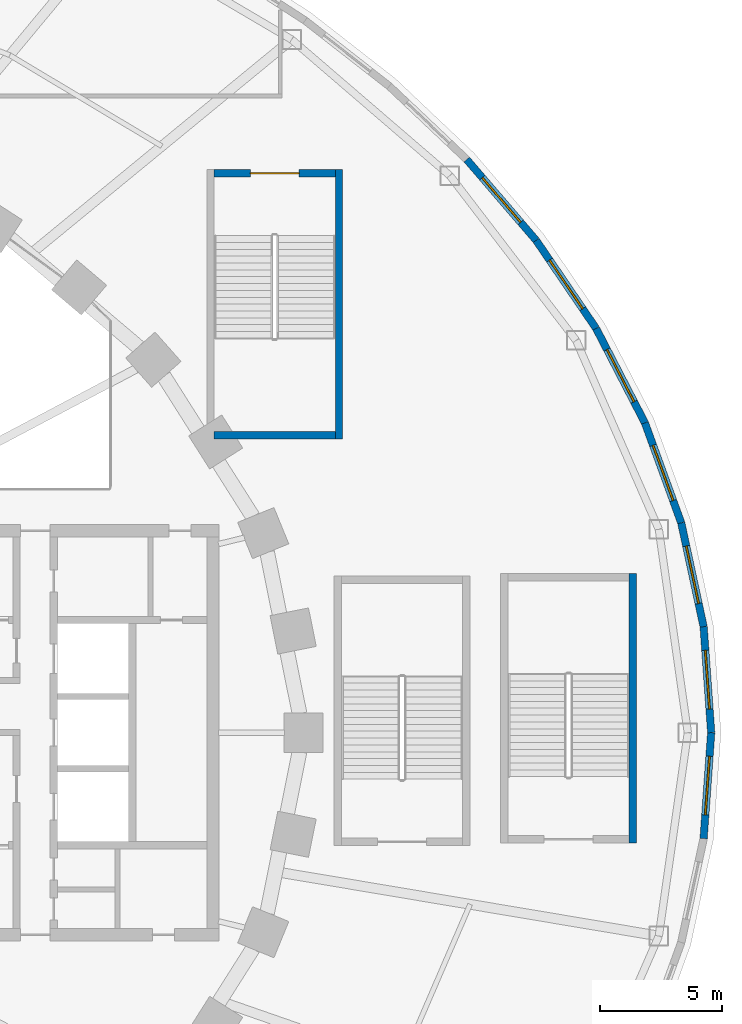
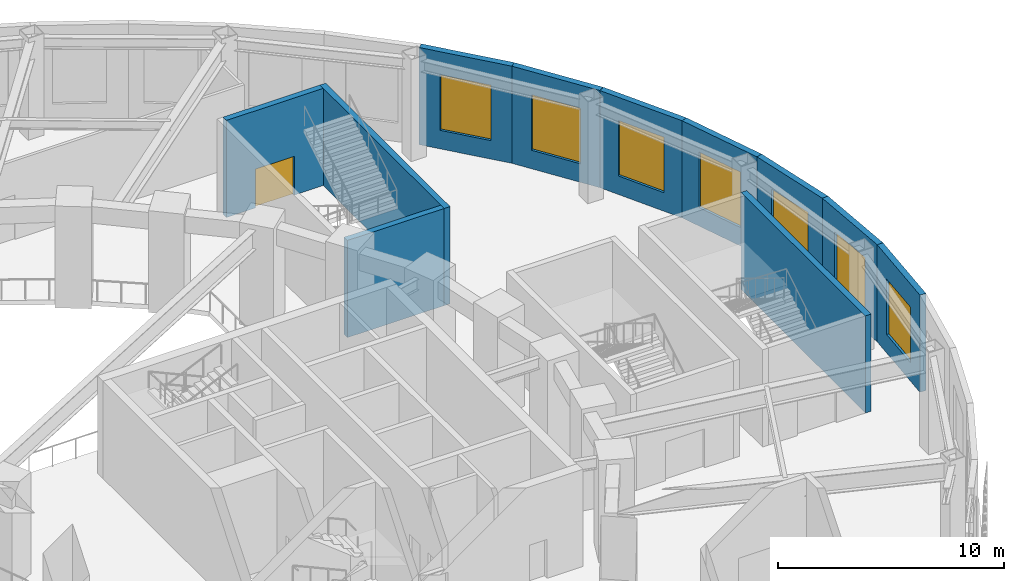
# One storey, part 20 of 69: 11 walls, 7 windows, 1 door, 8 openings.
"""IFC4 building model written with IfcOpenShell, lengths in metres."""

from ifc_helpers import new_model, si_unit, direction, frame, frame_2d, origin, place, context, subcontext, project, spatial, rectangle, extrude, material, layer, layer_set, type_object, element, fill, save


model = new_model("IFC4")

# Units and contexts
model_context = context("Model", 3, precision=1e-05, world=origin(), true_north=direction((0.0, 1.0)))
body_context = subcontext(model_context, "Body", "Model", "MODEL_VIEW")
ifc_project = project(units=[si_unit("LENGTHUNIT", "METRE"), si_unit("AREAUNIT", "SQUARE_METRE"), si_unit("VOLUMEUNIT", "CUBIC_METRE"), si_unit("PLANEANGLEUNIT", "RADIAN"), si_unit("MASSUNIT", "GRAM", prefix="KILO")], contexts=[model_context])

# Site, building, storey
site_placement = place(None, origin())
site = spatial("IfcSite", under=ifc_project, at=site_placement, CompositionType="ELEMENT")
building_placement = place(site_placement, origin())
building = spatial("IfcBuilding", under=site, at=building_placement, Name="Noorbagh Ring Tower", CompositionType="ELEMENT")
storey_placement = place(building_placement, frame((0.0, 0.0, 19.5)))
storey = spatial("IfcBuildingStorey", under=building, at=storey_placement, Name="L03", CompositionType="ELEMENT", Elevation=19.5)

# Wall, opening, window
ifc_material_1 = material(Name="Blockwork faced with red sandstone", Category="masonry")
ifc_layer_1 = layer(ifc_material_1, 0.300048828125)
ifc_layer_set_1 = layer_set([ifc_layer_1], Name="Blockwork faced with red sandstone")
wall_type_1 = type_object("IfcWallType", Name="GND-ENV-WALL", PredefinedType="SOLIDWALL", material=ifc_layer_set_1)
wall_1_placement = place(storey_placement, frame((51.59912109375, 0.0, 0.0), z_axis=(0.0, 0.0, 1.0), x_axis=(-0.071315050824, 0.997453840298, 0.0)))
wall_1 = element("IfcWall", 1, at=wall_1_placement, inside=storey, type_object=wall_type_1, Name="Podium wall", PredefinedType="SOLIDWALL", context=body_context, shape_type="SweptSolid", body=[
    extrude(rectangle(XDim=4.33740234375, YDim=0.300048828125, at=frame_2d((2.168701171875, 0.0))), origin(), (0.0, 0.0, 1.0), 5.25),
])
opening_1_placement = place(wall_1_placement, frame((0.96875, 0.0, 1.0)))
opening_1 = element("IfcOpeningElement", 2, at=opening_1_placement, cuts=wall_1, Name="Opening GWN1", PredefinedType="OPENING", context=body_context, shape_type="SweptSolid", body=[
    extrude(rectangle(XDim=2.39990234375, YDim=3.0, at=frame_2d((1.199951171875, 1.5))), frame((0.0, 0.16015625, 0.0), z_axis=(0.0, -1.0, 0.0), x_axis=(1.0, 0.0, 0.0)), (0.0, 0.0, 1.0), 0.320068359375),
])
ifc_material_2 = material(Name="Aluminium and glass", Category="aluminium")
window_type = type_object("IfcWindowType", Name="GND-ENV-WINDOW", PartitioningType="SINGLE_PANEL", PredefinedType="WINDOW", material=ifc_material_2)
window_1_placement = place(opening_1_placement, origin())
window_1 = element("IfcWindow", 3, at=window_1_placement, inside=storey, type_object=window_type, Name="L03 podium window", OverallHeight=3.0, OverallWidth=2.39990234375, PartitioningType="SINGLE_PANEL", PredefinedType="WINDOW", context=body_context, shape_type="SweptSolid", body=[
    extrude(rectangle(XDim=2.39990234375, YDim=3.0, at=frame_2d((1.199951171875, 1.5))), frame((0.0, 0.030029296875, 0.0), z_axis=(0.0, -1.0, 0.0), x_axis=(1.0, 0.0, 0.0)), (0.0, 0.0, 1.0), 0.06005859375),
])
fill(opening_1, window_1)

wall_2_placement = place(storey_placement, frame((51.289794921875, 4.326416015625, 0.0), z_axis=(0.0, 0.0, 1.0), x_axis=(-0.210616468766, 0.977568771537, 0.0)))
wall_2 = element("IfcWall", 4, at=wall_2_placement, inside=storey, type_object=wall_type_1, Name="Podium wall", PredefinedType="SOLIDWALL", context=body_context, shape_type="SweptSolid", body=[
    extrude(rectangle(XDim=4.3388671875, YDim=0.300048828125, at=frame_2d((2.16943359375, 0.0))), origin(), (0.0, 0.0, 1.0), 5.25),
])
opening_2_placement = place(wall_2_placement, frame((0.969482421875, 0.0, 1.0)))
opening_2 = element("IfcOpeningElement", 5, at=opening_2_placement, cuts=wall_2, Name="Opening GWN1", PredefinedType="OPENING", context=body_context, shape_type="SweptSolid", body=[
    extrude(rectangle(XDim=2.39990234375, YDim=3.0, at=frame_2d((1.199951171875, 1.5))), frame((0.0, 0.16015625, 0.0), z_axis=(0.0, -1.0, 0.0), x_axis=(1.0, 0.0, 0.0)), (0.0, 0.0, 1.0), 0.320068359375),
])
window_2_placement = place(opening_2_placement, origin())
window_2 = element("IfcWindow", 6, at=window_2_placement, inside=storey, type_object=window_type, Name="L03 podium window", OverallHeight=3.0, OverallWidth=2.39990234375, PartitioningType="SINGLE_PANEL", PredefinedType="WINDOW", context=body_context, shape_type="SweptSolid", body=[
    extrude(rectangle(XDim=2.39990234375, YDim=3.0, at=frame_2d((1.199951171875, 1.5))), frame((0.0, 0.030029296875, 0.0), z_axis=(0.0, -1.0, 0.0), x_axis=(1.0, 0.0, 0.0)), (0.0, 0.0, 1.0), 0.06005859375),
])
fill(opening_2, window_2)

wall_3_placement = place(storey_placement, frame((50.3759765625, 8.56787109375, 0.0), z_axis=(0.0, 0.0, 1.0), x_axis=(-0.341286990045, 0.939959142956, 0.0)))
wall_3 = element("IfcWall", 7, at=wall_3_placement, inside=storey, type_object=wall_type_1, Name="Podium wall", PredefinedType="SOLIDWALL", context=body_context, shape_type="SweptSolid", body=[
    extrude(rectangle(XDim=4.341552734375, YDim=0.300048828125, at=frame_2d((2.1708984375, 0.0))), origin(), (0.0, 0.0, 1.0), 5.25),
])
opening_3_placement = place(wall_3_placement, frame((0.970703125, 0.0, 1.0)))
opening_3 = element("IfcOpeningElement", 8, at=opening_3_placement, cuts=wall_3, Name="Opening GWN1", PredefinedType="OPENING", context=body_context, shape_type="SweptSolid", body=[
    extrude(rectangle(XDim=2.39990234375, YDim=3.0, at=frame_2d((1.199951171875, 1.5))), frame((0.0, 0.16015625, 0.0), z_axis=(0.0, -1.0, 0.0), x_axis=(1.0, 0.0, 0.0)), (0.0, 0.0, 1.0), 0.320068359375),
])
window_3_placement = place(opening_3_placement, origin())
window_3 = element("IfcWindow", 9, at=window_3_placement, inside=storey, type_object=window_type, Name="L03 podium window", OverallHeight=3.0, OverallWidth=2.39990234375, PartitioningType="SINGLE_PANEL", PredefinedType="WINDOW", context=body_context, shape_type="SweptSolid", body=[
    extrude(rectangle(XDim=2.39990234375, YDim=3.0, at=frame_2d((1.199951171875, 1.5))), frame((0.0, 0.030029296875, 0.0), z_axis=(0.0, -1.0, 0.0), x_axis=(1.0, 0.0, 0.0)), (0.0, 0.0, 1.0), 0.06005859375),
])
fill(opening_3, window_3)

wall_4_placement = place(storey_placement, frame((48.894287109375, 12.648681640625, 0.0), z_axis=(0.0, 0.0, 1.0), x_axis=(-0.459242531468, 0.888310923771, 0.0)))
wall_4 = element("IfcWall", 10, at=wall_4_placement, inside=storey, type_object=wall_type_1, Name="Podium wall", PredefinedType="SOLIDWALL", context=body_context, shape_type="SweptSolid", body=[
    extrude(rectangle(XDim=4.344970703125, YDim=0.300048828125, at=frame_2d((2.17236328125, 0.0))), origin(), (0.0, 0.0, 1.0), 5.25),
])
opening_4_placement = place(wall_4_placement, frame((0.972412109375, 0.0, 1.0)))
opening_4 = element("IfcOpeningElement", 11, at=opening_4_placement, cuts=wall_4, Name="Opening GWN1", PredefinedType="OPENING", context=body_context, shape_type="SweptSolid", body=[
    extrude(rectangle(XDim=2.39990234375, YDim=3.0, at=frame_2d((1.199951171875, 1.5))), frame((0.0, 0.16015625, 0.0), z_axis=(0.0, -1.0, 0.0), x_axis=(1.0, 0.0, 0.0)), (0.0, 0.0, 1.0), 0.320068359375),
])
window_4_placement = place(opening_4_placement, origin())
window_4 = element("IfcWindow", 12, at=window_4_placement, inside=storey, type_object=window_type, Name="L03 podium window", OverallHeight=3.0, OverallWidth=2.39990234375, PartitioningType="SINGLE_PANEL", PredefinedType="WINDOW", context=body_context, shape_type="SweptSolid", body=[
    extrude(rectangle(XDim=2.39990234375, YDim=3.0, at=frame_2d((1.199951171875, 1.5))), frame((0.0, 0.030029296875, 0.0), z_axis=(0.0, -1.0, 0.0), x_axis=(1.0, 0.0, 0.0)), (0.0, 0.0, 1.0), 0.06005859375),
])
fill(opening_4, window_4)

wall_5_placement = place(storey_placement, frame((46.89892578125, 16.50830078125, 0.0), z_axis=(0.0, 0.0, 1.0), x_axis=(-0.562667738859, 0.82668314102, 0.0)))
wall_5 = element("IfcWall", 13, at=wall_5_placement, inside=storey, type_object=wall_type_1, Name="Podium wall", PredefinedType="SOLIDWALL", context=body_context, shape_type="SweptSolid", body=[
    extrude(rectangle(XDim=4.348876953125, YDim=0.300048828125, at=frame_2d((2.17431640625, 0.0))), origin(), (0.0, 0.0, 1.0), 5.25),
])
opening_5_placement = place(wall_5_placement, frame((0.974365234375, 0.0, 1.0)))
opening_5 = element("IfcOpeningElement", 14, at=opening_5_placement, cuts=wall_5, Name="Opening GWN1", PredefinedType="OPENING", context=body_context, shape_type="SweptSolid", body=[
    extrude(rectangle(XDim=2.39990234375, YDim=3.0, at=frame_2d((1.199951171875, 1.5))), frame((0.0, 0.16015625, 0.0), z_axis=(0.0, -1.0, 0.0), x_axis=(1.0, 0.0, 0.0)), (0.0, 0.0, 1.0), 0.320068359375),
])
window_5_placement = place(opening_5_placement, origin())
window_5 = element("IfcWindow", 15, at=window_5_placement, inside=storey, type_object=window_type, Name="L03 podium window", OverallHeight=3.0, OverallWidth=2.39990234375, PartitioningType="SINGLE_PANEL", PredefinedType="WINDOW", context=body_context, shape_type="SweptSolid", body=[
    extrude(rectangle(XDim=2.39990234375, YDim=3.0, at=frame_2d((1.199951171875, 1.5))), frame((0.0, 0.030029296875, 0.0), z_axis=(0.0, -1.0, 0.0), x_axis=(1.0, 0.0, 0.0)), (0.0, 0.0, 1.0), 0.06005859375),
])
fill(opening_5, window_5)

wall_6_placement = place(storey_placement, frame((44.451904296875, 20.103515625, 0.0), z_axis=(0.0, 0.0, 1.0), x_axis=(-0.651387059497, 0.758745608699, 0.0)))
wall_6 = element("IfcWall", 16, at=wall_6_placement, inside=storey, type_object=wall_type_1, Name="Podium wall", PredefinedType="SOLIDWALL", context=body_context, shape_type="SweptSolid", body=[
    extrude(rectangle(XDim=4.3525390625, YDim=0.300048828125, at=frame_2d((2.17626953125, 0.0))), origin(), (0.0, 0.0, 1.0), 5.25),
])
opening_6_placement = place(wall_6_placement, frame((0.976318359375, 0.0, 1.0)))
opening_6 = element("IfcOpeningElement", 17, at=opening_6_placement, cuts=wall_6, Name="Opening GWN1", PredefinedType="OPENING", context=body_context, shape_type="SweptSolid", body=[
    extrude(rectangle(XDim=2.39990234375, YDim=3.0, at=frame_2d((1.199951171875, 1.5))), frame((0.0, 0.16015625, 0.0), z_axis=(0.0, -1.0, 0.0), x_axis=(1.0, 0.0, 0.0)), (0.0, 0.0, 1.0), 0.320068359375),
])
window_6_placement = place(opening_6_placement, origin())
window_6 = element("IfcWindow", 18, at=window_6_placement, inside=storey, type_object=window_type, Name="L03 podium window", OverallHeight=3.0, OverallWidth=2.39990234375, PartitioningType="SINGLE_PANEL", PredefinedType="WINDOW", context=body_context, shape_type="SweptSolid", body=[
    extrude(rectangle(XDim=2.39990234375, YDim=3.0, at=frame_2d((1.199951171875, 1.5))), frame((0.0, 0.030029296875, 0.0), z_axis=(0.0, -1.0, 0.0), x_axis=(1.0, 0.0, 0.0)), (0.0, 0.0, 1.0), 0.06005859375),
])
fill(opening_6, window_6)

wall_7_placement = place(storey_placement, frame((51.289794921875, -4.326416015625, 0.0), z_axis=(0.0, 0.0, 1.0), x_axis=(0.071315050824, 0.997453840298, 0.0)))
wall_7 = element("IfcWall", 19, at=wall_7_placement, inside=storey, type_object=wall_type_1, Name="Podium wall", PredefinedType="SOLIDWALL", context=body_context, shape_type="SweptSolid", body=[
    extrude(rectangle(XDim=4.33740234375, YDim=0.300048828125, at=frame_2d((2.168701171875, 0.0))), origin(), (0.0, 0.0, 1.0), 5.25),
])
opening_7_placement = place(wall_7_placement, frame((0.96875, 0.0, 1.0)))
opening_7 = element("IfcOpeningElement", 20, at=opening_7_placement, cuts=wall_7, Name="Opening GWN1", PredefinedType="OPENING", context=body_context, shape_type="SweptSolid", body=[
    extrude(rectangle(XDim=2.39990234375, YDim=3.0, at=frame_2d((1.199951171875, 1.5))), frame((0.0, 0.16015625, 0.0), z_axis=(0.0, -1.0, 0.0), x_axis=(1.0, 0.0, 0.0)), (0.0, 0.0, 1.0), 0.320068359375),
])
window_7_placement = place(opening_7_placement, origin())
window_7 = element("IfcWindow", 21, at=window_7_placement, inside=storey, type_object=window_type, Name="L03 podium window", OverallHeight=3.0, OverallWidth=2.39990234375, PartitioningType="SINGLE_PANEL", PredefinedType="WINDOW", context=body_context, shape_type="SweptSolid", body=[
    extrude(rectangle(XDim=2.39990234375, YDim=3.0, at=frame_2d((1.199951171875, 1.5))), frame((0.0, 0.030029296875, 0.0), z_axis=(0.0, -1.0, 0.0), x_axis=(1.0, 0.0, 0.0)), (0.0, 0.0, 1.0), 0.06005859375),
])
fill(opening_7, window_7)

# Walls
ifc_material_3 = material(Name="Concrete C60/75", Category="concrete")
ifc_layer_2 = layer(ifc_material_3, 0.300048828125)
ifc_layer_set_2 = layer_set([ifc_layer_2], Name="Concrete C60/75")
wall_type_2 = type_object("IfcWallType", Name="GND-STAIR-WALL", PredefinedType="SHEAR", material=ifc_layer_set_2)
for number, where, z_axis, x_axis, name in (
    (22, (48.39990234375, -4.5, 0.0), (0.0, 0.0, 1.0), (0.0, 1.0, 0.0), "Exit stair ST-P4 wall"),
    (23, (36.39990234375, 12.0, 0.0), (0.0, 0.0, 1.0), (0.0, 1.0, 0.0), "Exit stair ST-P5 wall"),
):
    element("IfcWall", number, at=place(storey_placement, frame(where, z_axis=z_axis, x_axis=x_axis)), inside=storey, type_object=wall_type_2, Name=name, PredefinedType="SHEAR", context=body_context, shape_type="SweptSolid", body=[
        extrude(rectangle(XDim=11.0, YDim=0.300048828125, at=frame_2d((5.5, 0.0))), origin(), (0.0, 0.0, 1.0), 5.25),
    ])
wall_8_placement = place(storey_placement, frame((31.300048828125, 12.14990234375, 0.0), z_axis=(0.0, 0.0, 1.0), x_axis=(1.0, 0.0, 0.0)))
element("IfcWall", 24, at=wall_8_placement, inside=storey, type_object=wall_type_2, Name="Exit stair ST-P5 wall", PredefinedType="SHEAR", context=body_context, shape_type="SweptSolid", body=[
    extrude(rectangle(XDim=4.949951171875, YDim=0.300048828125, at=frame_2d((2.47509765625, 0.0))), origin(), (0.0, 0.0, 1.0), 5.25),
])

# Wall, opening, door
wall_9_placement = place(storey_placement, frame((31.300048828125, 22.85009765625, 0.0), z_axis=(0.0, 0.0, 1.0), x_axis=(1.0, 0.0, 0.0)))
wall_9 = element("IfcWall", 25, at=wall_9_placement, inside=storey, type_object=wall_type_2, Name="Exit stair ST-P5 wall", PredefinedType="SHEAR", context=body_context, shape_type="SweptSolid", body=[
    extrude(rectangle(XDim=4.949951171875, YDim=0.300048828125, at=frame_2d((2.47509765625, 0.0))), origin(), (0.0, 0.0, 1.0), 5.25),
])
opening_8_placement = place(wall_9_placement, frame((1.47509765625, 0.0, 0.0)))
opening_8 = element("IfcOpeningElement", 26, at=opening_8_placement, cuts=wall_9, Name="Opening GD17", PredefinedType="OPENING", context=body_context, shape_type="SweptSolid", body=[
    extrude(rectangle(XDim=2.0, YDim=2.10009765625, at=frame_2d((1.0, 1.050048828125))), frame((0.0, 0.16015625, 0.0), z_axis=(0.0, -1.0, 0.0), x_axis=(1.0, 0.0, 0.0)), (0.0, 0.0, 1.0), 0.320068359375),
])
ifc_material_4 = material(Name="Steel", Category="steel")
door_type = type_object("IfcDoorType", Name="GND-STAIR-DOOR", OperationType="DOUBLE_DOOR_SINGLE_SWING", PredefinedType="DOOR", material=ifc_material_4)
door_placement = place(opening_8_placement, origin())
door = element("IfcDoor", 27, at=door_placement, inside=storey, type_object=door_type, Name="Exit stair ST-P5 door", OperationType="DOUBLE_DOOR_SINGLE_SWING", OverallHeight=2.10009765625, OverallWidth=2.0, PredefinedType="DOOR", context=body_context, shape_type="SweptSolid", body=[
    extrude(rectangle(XDim=2.0, YDim=2.10009765625, at=frame_2d((1.0, 1.050048828125))), frame((0.0, 0.02490234375, 0.0), z_axis=(0.0, -1.0, 0.0), x_axis=(1.0, 0.0, 0.0)), (0.0, 0.0, 1.0), 0.050048828125),
])
fill(opening_8, door)

save(model, "model.ifc")
